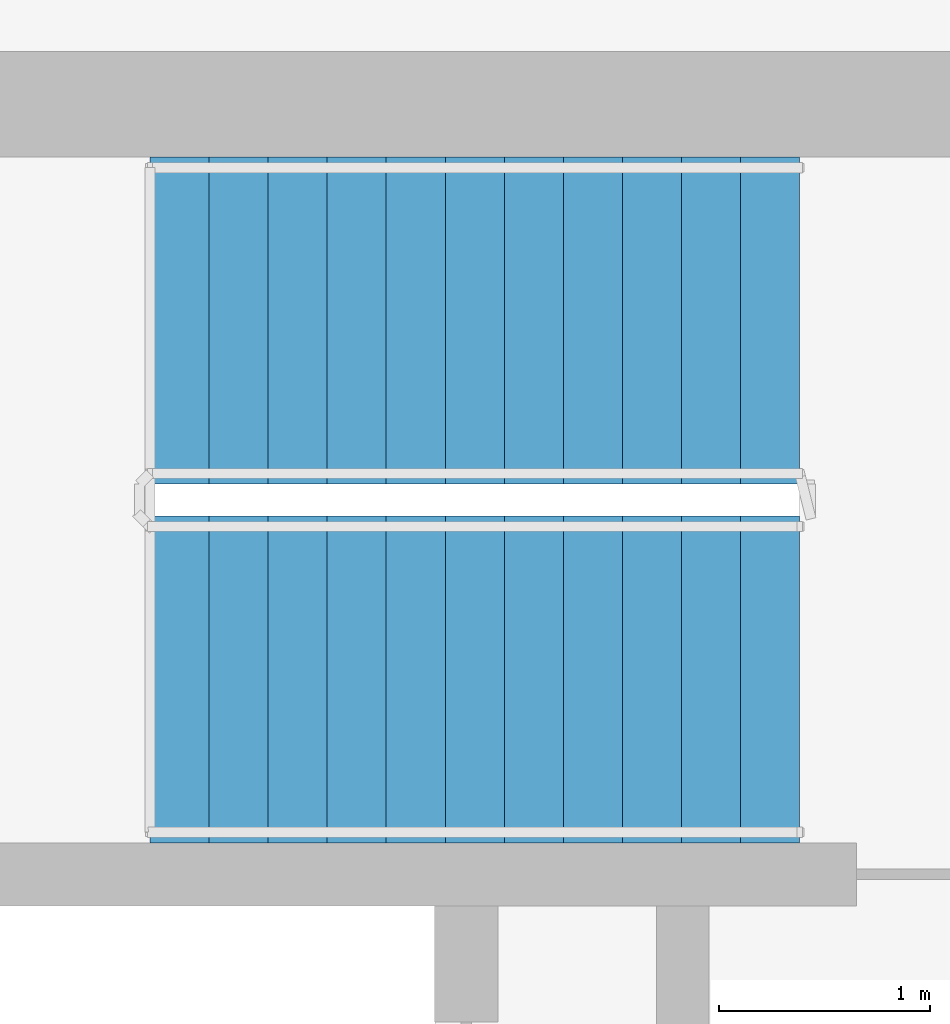
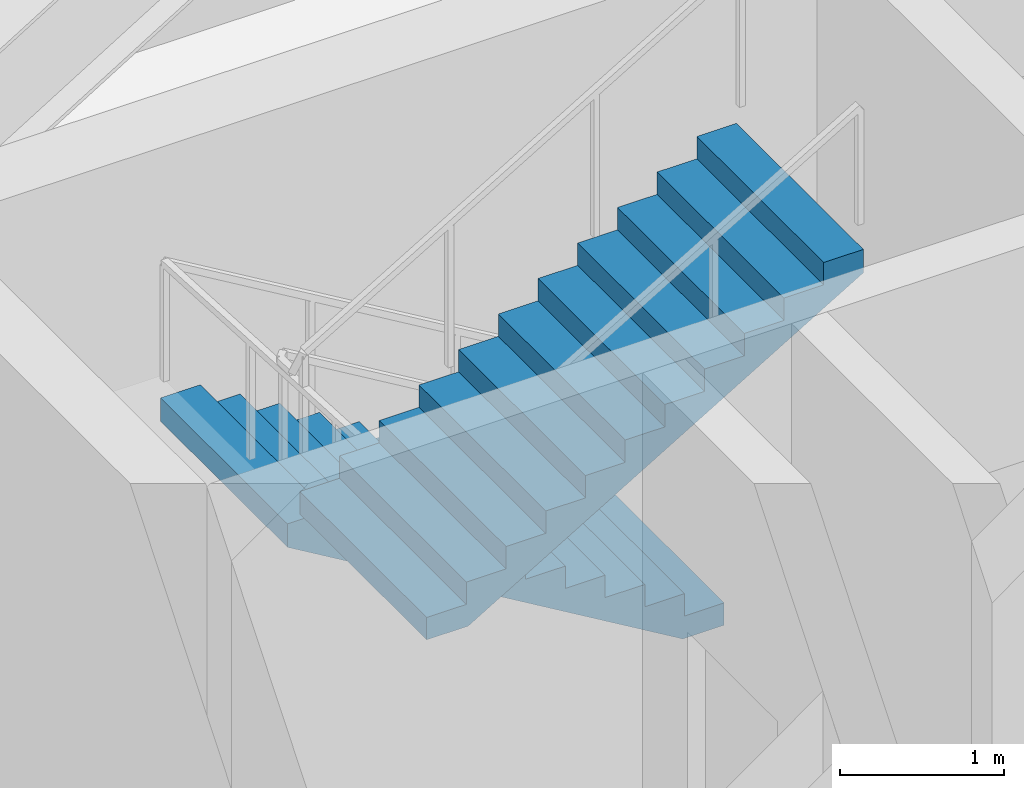
# One storey, part 7 of 15: 2 stair flights, 1 element without a shape of its own.
"""IFC4 building model written with IfcOpenShell, lengths in metres."""

from ifc_helpers import new_model, si_unit, direction, frame, origin, place, context, subcontext, project, spatial, polyline, outline, extrude, material, type_object, element, aggregate, save


model = new_model("IFC4")

# Units and contexts
model_context = context("Model", 3, precision=1e-05, world=origin(), true_north=direction((0.0, 1.0)))
body_context = subcontext(model_context, "Body", "Model", "MODEL_VIEW")
ifc_project = project(units=[si_unit("LENGTHUNIT", "METRE"), si_unit("AREAUNIT", "SQUARE_METRE"), si_unit("VOLUMEUNIT", "CUBIC_METRE"), si_unit("PLANEANGLEUNIT", "RADIAN"), si_unit("MASSUNIT", "GRAM", prefix="KILO")], contexts=[model_context])

# Site, building, storey
site_placement = place(None, origin())
site = spatial("IfcSite", under=ifc_project, at=site_placement, CompositionType="ELEMENT")
building_placement = place(site_placement, origin())
building = spatial("IfcBuilding", under=site, at=building_placement, Name="Noorbagh Ring Tower", CompositionType="ELEMENT")
storey_placement = place(building_placement, frame((0.0, 0.0, 277.5)))
storey = spatial("IfcBuildingStorey", under=building, at=storey_placement, Name="L59", CompositionType="ELEMENT", Elevation=277.5)

# Stair, stair flights
ifc_material_1 = material(Name="Concrete C40/50", Category="concrete")
stair_type = type_object("IfcStairType", Name="CORE-STAIR", PredefinedType="HALF_TURN_STAIR", material=ifc_material_1)
stair_placement = place(storey_placement, origin())
stair = element("IfcStair", 1, at=stair_placement, inside=storey, type_object=stair_type, Name="L59 Exit stair ST3", PredefinedType="HALF_TURN_STAIR")
ifc_material_2 = material(Name="Concrete C40/50", Category="concrete")
stair_flight_type = type_object("IfcStairFlightType", Name="CORE-STAIR-FLIGHT", PredefinedType="STRAIGHT", material=ifc_material_2)
stair_flight_1_placement = place(storey_placement, frame((21.530029296875, 7.22509765625, 0.0), z_axis=(0.0, 0.0, 1.0), x_axis=(-1.0, 0.0, 0.0)))
stair_flight_1 = element("IfcStairFlight", 2, at=stair_flight_1_placement, type_object=stair_flight_type, Name="ST3 flight 1", NumberOfRisers=12, NumberOfTreads=11, PredefinedType="STRAIGHT", RiserHeight=0.166666667, TreadLength=0.28, context=body_context, shape_type="SweptSolid", body=[
    extrude(outline(polyline([(0.0, 0.0), (0.0, 0.166748046875), (0.280029296875, 0.166748046875), (0.280029296875, 0.333251953125), (0.56005859375, 0.333251953125), (0.56005859375, 0.5), (0.840087890625, 0.5), (0.840087890625, 0.666748046875), (1.1201171875, 0.666748046875), (1.1201171875, 0.833251953125), (1.39990234375, 0.833251953125), (1.39990234375, 1.0), (1.679931640625, 1.0), (1.679931640625, 1.166748046875), (1.9599609375, 1.166748046875), (1.9599609375, 1.333251953125), (2.239990234375, 1.333251953125), (2.239990234375, 1.5), (2.52001953125, 1.5), (2.52001953125, 1.666748046875), (2.800048828125, 1.666748046875), (2.800048828125, 1.833251953125), (3.080078125, 1.833251953125), (3.080078125, 2.0), (3.080078125, 1.658935546875), (0.29296875, 0.0), (0.0, 0.0)])), frame((0.0, 0.77490234375, 0.0), z_axis=(0.0, -1.0, 0.0), x_axis=(1.0, 0.0, 0.0)), (0.0, 0.0, 1.0), 1.550048828125),
])
stair_flight_2_placement = place(storey_placement, frame((18.449951171875, 5.52490234375, 2.0), z_axis=(0.0, 0.0, 1.0), x_axis=(1.0, 0.0, 0.0)))
stair_flight_2 = element("IfcStairFlight", 3, at=stair_flight_2_placement, type_object=stair_flight_type, Name="ST3 flight 2", NumberOfRisers=12, NumberOfTreads=11, PredefinedType="STRAIGHT", RiserHeight=0.166666667, TreadLength=0.28, context=body_context, shape_type="SweptSolid", body=[
    extrude(outline(polyline([(0.0, 0.0), (0.0, 0.166748046875), (0.280029296875, 0.166748046875), (0.280029296875, 0.333251953125), (0.56005859375, 0.333251953125), (0.56005859375, 0.5), (0.840087890625, 0.5), (0.840087890625, 0.666748046875), (1.1201171875, 0.666748046875), (1.1201171875, 0.833251953125), (1.39990234375, 0.833251953125), (1.39990234375, 1.0), (1.679931640625, 1.0), (1.679931640625, 1.166748046875), (1.9599609375, 1.166748046875), (1.9599609375, 1.333251953125), (2.239990234375, 1.333251953125), (2.239990234375, 1.5), (2.52001953125, 1.5), (2.52001953125, 1.666748046875), (2.800048828125, 1.666748046875), (2.800048828125, 1.833251953125), (3.080078125, 1.833251953125), (3.080078125, 2.0), (3.080078125, 1.658935546875), (0.29296875, 0.0), (0.0, 0.0)])), frame((0.0, 0.77490234375, 0.0), z_axis=(0.0, -1.0, 0.0), x_axis=(1.0, 0.0, 0.0)), (0.0, 0.0, 1.0), 1.550048828125),
])
aggregate(stair, [stair_flight_1, stair_flight_2])

save(model, "model.ifc")
